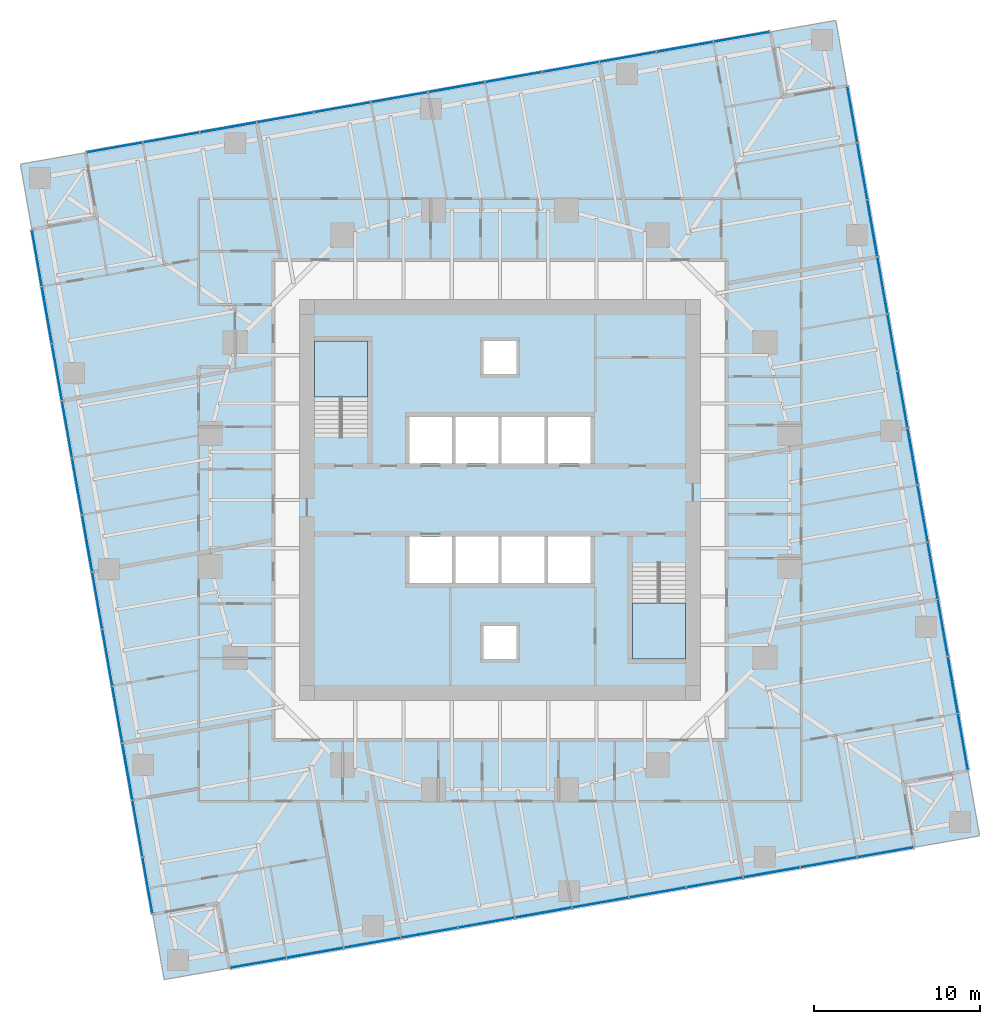
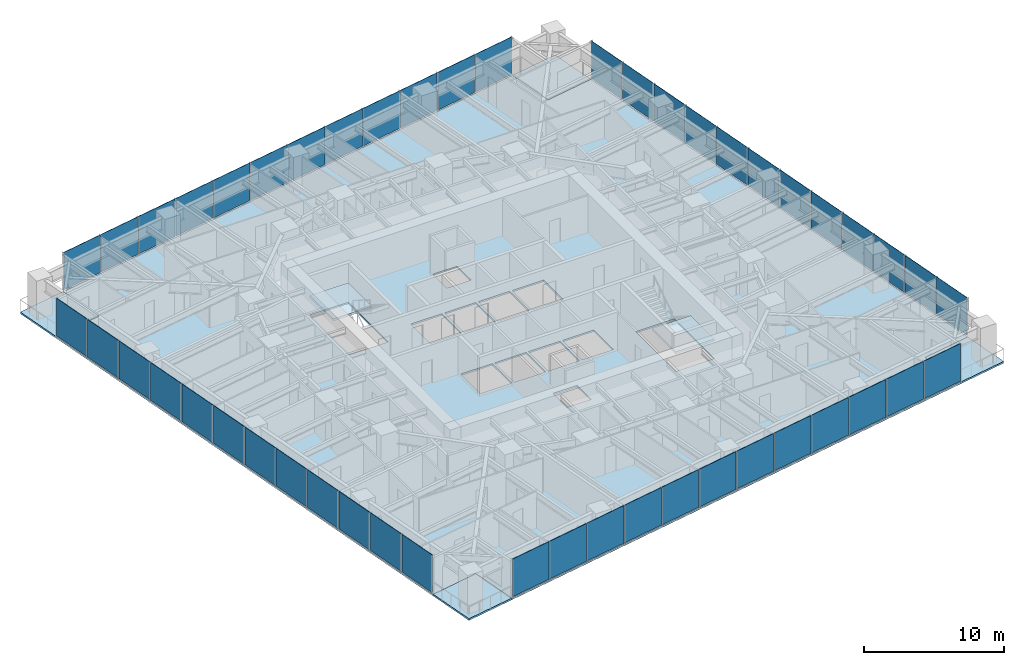
# One storey, part 7 of 14: 48 plates, 7 slabs, 6 elements without a shape of their own.
"""IFC4 building model written with IfcOpenShell, lengths in metres."""

from ifc_helpers import new_model, si_unit, direction, frame, origin, origin_2d, place, context, subcontext, project, spatial, polyline, rectangle, outline, extrude, material, layer, layer_set, type_object, element, aggregate, save


model = new_model("IFC4")

# Units and contexts
model_context = context("Model", 3, precision=1e-05, world=origin(), true_north=direction((0.0, 1.0)))
body_context = subcontext(model_context, "Body", "Model", "MODEL_VIEW")
ifc_project = project(units=[si_unit("LENGTHUNIT", "METRE"), si_unit("AREAUNIT", "SQUARE_METRE"), si_unit("VOLUMEUNIT", "CUBIC_METRE"), si_unit("PLANEANGLEUNIT", "RADIAN"), si_unit("MASSUNIT", "GRAM", prefix="KILO")], contexts=[model_context])

# Site, building, storey
site_placement = place(None, origin())
site = spatial("IfcSite", under=ifc_project, at=site_placement, CompositionType="ELEMENT")
building_placement = place(site_placement, origin())
building = spatial("IfcBuilding", under=site, at=building_placement, Name="Torsade Residences", CompositionType="ELEMENT")
storey_placement = place(building_placement, frame((0.0, 0.0, 99.800048828125)))
storey = spatial("IfcBuildingStorey", under=building, at=storey_placement, Name="L27", CompositionType="ELEMENT", Elevation=99.800048828125)

# Slab
ifc_material_1 = material(Name="Concrete 40 MPa", Category="concrete")
ifc_layer_1 = layer(ifc_material_1, 0.14990234375)
ifc_layer_set_1 = layer_set([ifc_layer_1], Name="Concrete 40 MPa")
slab_type_1 = type_object("IfcSlabType", Name="COMPOSITE FLOOR SLAB 150", PredefinedType="FLOOR", material=ifc_layer_set_1)
slab_1_placement = place(storey_placement, frame((0.0, 0.0, -0.150146484375)))
element("IfcSlab", 1, at=slab_1_placement, inside=storey, type_object=slab_type_1, Name="Floor slab L27", PredefinedType="FLOOR", context=body_context, shape_type="SweptSolid", body=[
    extrude(outline(polyline([(23.66015625, 1.733154296875), (65.022216796875, 9.0263671875), (64.32763671875, 12.965576171875), (68.266845703125, 13.66015625), (60.9736328125, 55.022216796875), (57.034423828125, 54.32763671875), (56.33984375, 58.266845703125), (14.977783203125, 50.9736328125), (15.67236328125, 47.034423828125), (11.733154296875, 46.33984375), (19.0263671875, 4.977783203125), (22.965576171875, 5.67236328125), (23.66015625, 1.733154296875)]), holes=[polyline([(51.199951171875, 20.39990234375), (51.199951171875, 26.1201171875), (48.0, 26.1201171875), (48.0, 20.39990234375), (51.199951171875, 20.39990234375)]), polyline([(45.5, 27.800048828125), (42.89990234375, 27.800048828125), (42.89990234375, 25.0), (45.5, 25.0), (45.5, 27.800048828125)]), polyline([(45.5, 32.199951171875), (45.5, 35.0), (42.89990234375, 35.0), (42.89990234375, 32.199951171875), (45.5, 32.199951171875)]), polyline([(42.699951171875, 25.0), (42.699951171875, 27.800048828125), (40.10009765625, 27.800048828125), (40.10009765625, 25.0), (42.699951171875, 25.0)]), polyline([(42.699951171875, 32.199951171875), (42.699951171875, 35.0), (40.10009765625, 35.0), (40.10009765625, 32.199951171875), (42.699951171875, 32.199951171875)]), polyline([(41.0, 22.39990234375), (39.0, 22.39990234375), (39.0, 20.39990234375), (41.0, 20.39990234375), (41.0, 22.39990234375)]), polyline([(41.0, 37.60009765625), (41.0, 39.60009765625), (39.0, 39.60009765625), (39.0, 37.60009765625), (41.0, 37.60009765625)]), polyline([(39.89990234375, 25.0), (39.89990234375, 27.800048828125), (37.300048828125, 27.800048828125), (37.300048828125, 25.0), (39.89990234375, 25.0)]), polyline([(39.89990234375, 35.0), (37.300048828125, 35.0), (37.300048828125, 32.199951171875), (39.89990234375, 32.199951171875), (39.89990234375, 35.0)]), polyline([(37.10009765625, 27.800048828125), (34.5, 27.800048828125), (34.5, 25.0), (37.10009765625, 25.0), (37.10009765625, 27.800048828125)]), polyline([(37.10009765625, 32.199951171875), (37.10009765625, 35.0), (34.5, 35.0), (34.5, 32.199951171875), (37.10009765625, 32.199951171875)]), polyline([(32.0, 33.8798828125), (32.0, 39.60009765625), (28.800048828125, 39.60009765625), (28.800048828125, 33.8798828125), (32.0, 33.8798828125)])]), origin(), (0.0, 0.0, 1.0), 0.150146484375),
])

# Curtain wall, plates
ifc_material_2 = material(Name="Aluminium and glass", Category="aluminium")
curtain_wall_type = type_object("IfcCurtainWallType", Name="FRITTED GLASS CURTAIN WALL LOW ZONE", PredefinedType="NOTDEFINED", material=ifc_material_2)
curtain_wall_1_placement = place(storey_placement, origin())
curtain_wall_1 = element("IfcCurtainWall", 2, at=curtain_wall_1_placement, inside=storey, type_object=curtain_wall_type, Name="Curtain wall L27 face 1", PredefinedType="NOTDEFINED")
ifc_material_3 = material(Name="Laminated glass", Category="glass")
ifc_layer_2 = layer(ifc_material_3, 0.031982421875)
ifc_layer_set_2 = layer_set([ifc_layer_2], Name="Laminated glass")
plate_type_1 = type_object("IfcPlateType", Name="FRITTED GLASS PANEL", PredefinedType="CURTAIN_PANEL", material=ifc_layer_set_2)
plate_1_placement = place(storey_placement, frame((25.399658203125, 2.039794921875, 0.10009765625), z_axis=(0.0, 0.0, 1.0), x_axis=(0.984807750372, 0.173648192638, 0.0)))
plate_1 = element("IfcPlate", 3, at=plate_1_placement, type_object=plate_type_1, Name="Panel 1", PredefinedType="CURTAIN_PANEL", context=body_context, shape_type="SweptSolid", body=[
    extrude(rectangle(XDim=3.402587890625, YDim=0.031982421875, at=origin_2d()), origin(), (0.0, 0.0, 1.0), 3.300048828125),
])
plate_2_placement = place(storey_placement, frame((32.27734375, 3.252685546875, 0.10009765625), z_axis=(0.0, 0.0, 1.0), x_axis=(0.984807750372, 0.173648192638, 0.0)))
plate_2 = element("IfcPlate", 4, at=plate_2_placement, type_object=plate_type_1, Name="Panel 3", PredefinedType="CURTAIN_PANEL", context=body_context, shape_type="SweptSolid", body=[
    extrude(rectangle(XDim=3.43505859375, YDim=0.031982421875, at=origin_2d()), origin(), (0.0, 0.0, 1.0), 3.300048828125),
])
plate_3_placement = place(storey_placement, frame((35.72412109375, 3.8603515625, 0.10009765625), z_axis=(0.0, 0.0, 1.0), x_axis=(0.984807750372, 0.173648192638, 0.0)))
plate_3 = element("IfcPlate", 5, at=plate_3_placement, type_object=plate_type_1, Name="Panel 4", PredefinedType="CURTAIN_PANEL", context=body_context, shape_type="SweptSolid", body=[
    extrude(rectangle(XDim=3.43505859375, YDim=0.031982421875, at=origin_2d()), origin(), (0.0, 0.0, 1.0), 3.300048828125),
])
plate_4_placement = place(storey_placement, frame((39.1708984375, 4.46826171875, 0.10009765625), z_axis=(0.0, 0.0, 1.0), x_axis=(0.984807750372, 0.173648192638, 0.0)))
plate_4 = element("IfcPlate", 6, at=plate_4_placement, type_object=plate_type_1, Name="Panel 5", PredefinedType="CURTAIN_PANEL", context=body_context, shape_type="SweptSolid", body=[
    extrude(rectangle(XDim=3.43505859375, YDim=0.031982421875, at=origin_2d()), origin(), (0.0, 0.0, 1.0), 3.300048828125),
])
plate_5_placement = place(storey_placement, frame((46.064697265625, 5.68359375, 0.10009765625), z_axis=(0.0, 0.0, 1.0), x_axis=(0.984807750372, 0.173648192638, 0.0)))
plate_5 = element("IfcPlate", 7, at=plate_5_placement, type_object=plate_type_1, Name="Panel 7", PredefinedType="CURTAIN_PANEL", context=body_context, shape_type="SweptSolid", body=[
    extrude(rectangle(XDim=3.43505859375, YDim=0.031982421875, at=origin_2d()), origin(), (0.0, 0.0, 1.0), 3.300048828125),
])
plate_6_placement = place(storey_placement, frame((49.511474609375, 6.29150390625, 0.10009765625), z_axis=(0.0, 0.0, 1.0), x_axis=(0.984807750372, 0.173648192638, 0.0)))
plate_6 = element("IfcPlate", 8, at=plate_6_placement, type_object=plate_type_1, Name="Panel 8", PredefinedType="CURTAIN_PANEL", context=body_context, shape_type="SweptSolid", body=[
    extrude(rectangle(XDim=3.43505859375, YDim=0.031982421875, at=origin_2d()), origin(), (0.0, 0.0, 1.0), 3.300048828125),
])
plate_7_placement = place(storey_placement, frame((52.958251953125, 6.899169921875, 0.10009765625), z_axis=(0.0, 0.0, 1.0), x_axis=(0.984807750372, 0.173648192638, 0.0)))
plate_7 = element("IfcPlate", 9, at=plate_7_placement, type_object=plate_type_1, Name="Panel 9", PredefinedType="CURTAIN_PANEL", context=body_context, shape_type="SweptSolid", body=[
    extrude(rectangle(XDim=3.43505859375, YDim=0.031982421875, at=origin_2d()), origin(), (0.0, 0.0, 1.0), 3.300048828125),
])
plate_8_placement = place(storey_placement, frame((59.851806640625, 8.11474609375, 0.10009765625), z_axis=(0.0, 0.0, 1.0), x_axis=(0.984807750372, 0.173648192638, 0.0)))
plate_8 = element("IfcPlate", 10, at=plate_8_placement, type_object=plate_type_1, Name="Panel 11", PredefinedType="CURTAIN_PANEL", context=body_context, shape_type="SweptSolid", body=[
    extrude(rectangle(XDim=3.43505859375, YDim=0.031982421875, at=origin_2d()), origin(), (0.0, 0.0, 1.0), 3.300048828125),
])
plate_9_placement = place(storey_placement, frame((63.28271484375, 8.7197265625, 0.10009765625), z_axis=(0.0, 0.0, 1.0), x_axis=(0.984807750372, 0.173648192638, 0.0)))
plate_9 = element("IfcPlate", 11, at=plate_9_placement, type_object=plate_type_1, Name="Panel 12", PredefinedType="CURTAIN_PANEL", context=body_context, shape_type="SweptSolid", body=[
    extrude(rectangle(XDim=3.402587890625, YDim=0.031982421875, at=origin_2d()), origin(), (0.0, 0.0, 1.0), 3.300048828125),
])

curtain_wall_2_placement = place(storey_placement, origin())
curtain_wall_2 = element("IfcCurtainWall", 12, at=curtain_wall_2_placement, inside=storey, type_object=curtain_wall_type, Name="Curtain wall L27 face 4", PredefinedType="NOTDEFINED")
plate_10_placement = place(storey_placement, frame((67.960205078125, 15.399658203125, 0.10009765625), z_axis=(0.0, 0.0, 1.0), x_axis=(-0.173648192638, 0.984807750372, 0.0)))
plate_10 = element("IfcPlate", 13, at=plate_10_placement, type_object=plate_type_1, Name="Panel 1", PredefinedType="CURTAIN_PANEL", context=body_context, shape_type="SweptSolid", body=[
    extrude(rectangle(XDim=3.402587890625, YDim=0.031982421875, at=origin_2d()), origin(), (0.0, 0.0, 1.0), 3.300048828125),
])
plate_11_placement = place(storey_placement, frame((66.747314453125, 22.27734375, 0.10009765625), z_axis=(0.0, 0.0, 1.0), x_axis=(-0.173648192638, 0.984807750372, 0.0)))
plate_11 = element("IfcPlate", 14, at=plate_11_placement, type_object=plate_type_1, Name="Panel 3", PredefinedType="CURTAIN_PANEL", context=body_context, shape_type="SweptSolid", body=[
    extrude(rectangle(XDim=3.43505859375, YDim=0.031982421875, at=origin_2d()), origin(), (0.0, 0.0, 1.0), 3.300048828125),
])
plate_12_placement = place(storey_placement, frame((66.1396484375, 25.72412109375, 0.10009765625), z_axis=(0.0, 0.0, 1.0), x_axis=(-0.173648192638, 0.984807750372, 0.0)))
plate_12 = element("IfcPlate", 15, at=plate_12_placement, type_object=plate_type_1, Name="Panel 4", PredefinedType="CURTAIN_PANEL", context=body_context, shape_type="SweptSolid", body=[
    extrude(rectangle(XDim=3.43505859375, YDim=0.031982421875, at=origin_2d()), origin(), (0.0, 0.0, 1.0), 3.300048828125),
])
plate_13_placement = place(storey_placement, frame((65.53173828125, 29.1708984375, 0.10009765625), z_axis=(0.0, 0.0, 1.0), x_axis=(-0.173648192638, 0.984807750372, 0.0)))
plate_13 = element("IfcPlate", 16, at=plate_13_placement, type_object=plate_type_1, Name="Panel 5", PredefinedType="CURTAIN_PANEL", context=body_context, shape_type="SweptSolid", body=[
    extrude(rectangle(XDim=3.43505859375, YDim=0.031982421875, at=origin_2d()), origin(), (0.0, 0.0, 1.0), 3.300048828125),
])
plate_14_placement = place(storey_placement, frame((64.31640625, 36.064697265625, 0.10009765625), z_axis=(0.0, 0.0, 1.0), x_axis=(-0.173648192638, 0.984807750372, 0.0)))
plate_14 = element("IfcPlate", 17, at=plate_14_placement, type_object=plate_type_1, Name="Panel 7", PredefinedType="CURTAIN_PANEL", context=body_context, shape_type="SweptSolid", body=[
    extrude(rectangle(XDim=3.43505859375, YDim=0.031982421875, at=origin_2d()), origin(), (0.0, 0.0, 1.0), 3.300048828125),
])
plate_15_placement = place(storey_placement, frame((63.70849609375, 39.511474609375, 0.10009765625), z_axis=(0.0, 0.0, 1.0), x_axis=(-0.173648192638, 0.984807750372, 0.0)))
plate_15 = element("IfcPlate", 18, at=plate_15_placement, type_object=plate_type_1, Name="Panel 8", PredefinedType="CURTAIN_PANEL", context=body_context, shape_type="SweptSolid", body=[
    extrude(rectangle(XDim=3.43505859375, YDim=0.031982421875, at=origin_2d()), origin(), (0.0, 0.0, 1.0), 3.300048828125),
])
plate_16_placement = place(storey_placement, frame((63.100830078125, 42.958251953125, 0.10009765625), z_axis=(0.0, 0.0, 1.0), x_axis=(-0.173648192638, 0.984807750372, 0.0)))
plate_16 = element("IfcPlate", 19, at=plate_16_placement, type_object=plate_type_1, Name="Panel 9", PredefinedType="CURTAIN_PANEL", context=body_context, shape_type="SweptSolid", body=[
    extrude(rectangle(XDim=3.43505859375, YDim=0.031982421875, at=origin_2d()), origin(), (0.0, 0.0, 1.0), 3.300048828125),
])
plate_17_placement = place(storey_placement, frame((61.88525390625, 49.851806640625, 0.10009765625), z_axis=(0.0, 0.0, 1.0), x_axis=(-0.173648192638, 0.984807750372, 0.0)))
plate_17 = element("IfcPlate", 20, at=plate_17_placement, type_object=plate_type_1, Name="Panel 11", PredefinedType="CURTAIN_PANEL", context=body_context, shape_type="SweptSolid", body=[
    extrude(rectangle(XDim=3.43505859375, YDim=0.031982421875, at=origin_2d()), origin(), (0.0, 0.0, 1.0), 3.300048828125),
])
plate_18_placement = place(storey_placement, frame((61.2802734375, 53.28271484375, 0.10009765625), z_axis=(0.0, 0.0, 1.0), x_axis=(-0.173648192638, 0.984807750372, 0.0)))
plate_18 = element("IfcPlate", 21, at=plate_18_placement, type_object=plate_type_1, Name="Panel 12", PredefinedType="CURTAIN_PANEL", context=body_context, shape_type="SweptSolid", body=[
    extrude(rectangle(XDim=3.402587890625, YDim=0.031982421875, at=origin_2d()), origin(), (0.0, 0.0, 1.0), 3.300048828125),
])

curtain_wall_3_placement = place(storey_placement, origin())
curtain_wall_3 = element("IfcCurtainWall", 22, at=curtain_wall_3_placement, inside=storey, type_object=curtain_wall_type, Name="Curtain wall L27 face 7", PredefinedType="NOTDEFINED")
plate_19_placement = place(storey_placement, frame((54.600341796875, 57.960205078125, 0.10009765625), z_axis=(0.0, 0.0, 1.0), x_axis=(-0.984807750372, -0.173648192638, 0.0)))
plate_19 = element("IfcPlate", 23, at=plate_19_placement, type_object=plate_type_1, Name="Panel 1", PredefinedType="CURTAIN_PANEL", context=body_context, shape_type="SweptSolid", body=[
    extrude(rectangle(XDim=3.402587890625, YDim=0.031982421875, at=origin_2d()), origin(), (0.0, 0.0, 1.0), 3.300048828125),
])
plate_20_placement = place(storey_placement, frame((47.72265625, 56.747314453125, 0.10009765625), z_axis=(0.0, 0.0, 1.0), x_axis=(-0.984807750372, -0.173648192638, 0.0)))
plate_20 = element("IfcPlate", 24, at=plate_20_placement, type_object=plate_type_1, Name="Panel 3", PredefinedType="CURTAIN_PANEL", context=body_context, shape_type="SweptSolid", body=[
    extrude(rectangle(XDim=3.43505859375, YDim=0.031982421875, at=origin_2d()), origin(), (0.0, 0.0, 1.0), 3.300048828125),
])
plate_21_placement = place(storey_placement, frame((44.27587890625, 56.1396484375, 0.10009765625), z_axis=(0.0, 0.0, 1.0), x_axis=(-0.984807750372, -0.173648192638, 0.0)))
plate_21 = element("IfcPlate", 25, at=plate_21_placement, type_object=plate_type_1, Name="Panel 4", PredefinedType="CURTAIN_PANEL", context=body_context, shape_type="SweptSolid", body=[
    extrude(rectangle(XDim=3.43505859375, YDim=0.031982421875, at=origin_2d()), origin(), (0.0, 0.0, 1.0), 3.300048828125),
])
plate_22_placement = place(storey_placement, frame((40.8291015625, 55.53173828125, 0.10009765625), z_axis=(0.0, 0.0, 1.0), x_axis=(-0.984807750372, -0.173648192638, 0.0)))
plate_22 = element("IfcPlate", 26, at=plate_22_placement, type_object=plate_type_1, Name="Panel 5", PredefinedType="CURTAIN_PANEL", context=body_context, shape_type="SweptSolid", body=[
    extrude(rectangle(XDim=3.43505859375, YDim=0.031982421875, at=origin_2d()), origin(), (0.0, 0.0, 1.0), 3.300048828125),
])
plate_23_placement = place(storey_placement, frame((33.935302734375, 54.31640625, 0.10009765625), z_axis=(0.0, 0.0, 1.0), x_axis=(-0.984807750372, -0.173648192638, 0.0)))
plate_23 = element("IfcPlate", 27, at=plate_23_placement, type_object=plate_type_1, Name="Panel 7", PredefinedType="CURTAIN_PANEL", context=body_context, shape_type="SweptSolid", body=[
    extrude(rectangle(XDim=3.43505859375, YDim=0.031982421875, at=origin_2d()), origin(), (0.0, 0.0, 1.0), 3.300048828125),
])
plate_24_placement = place(storey_placement, frame((30.488525390625, 53.70849609375, 0.10009765625), z_axis=(0.0, 0.0, 1.0), x_axis=(-0.984807750372, -0.173648192638, 0.0)))
plate_24 = element("IfcPlate", 28, at=plate_24_placement, type_object=plate_type_1, Name="Panel 8", PredefinedType="CURTAIN_PANEL", context=body_context, shape_type="SweptSolid", body=[
    extrude(rectangle(XDim=3.43505859375, YDim=0.031982421875, at=origin_2d()), origin(), (0.0, 0.0, 1.0), 3.300048828125),
])
plate_25_placement = place(storey_placement, frame((27.041748046875, 53.100830078125, 0.10009765625), z_axis=(0.0, 0.0, 1.0), x_axis=(-0.984807750372, -0.173648192638, 0.0)))
plate_25 = element("IfcPlate", 29, at=plate_25_placement, type_object=plate_type_1, Name="Panel 9", PredefinedType="CURTAIN_PANEL", context=body_context, shape_type="SweptSolid", body=[
    extrude(rectangle(XDim=3.43505859375, YDim=0.031982421875, at=origin_2d()), origin(), (0.0, 0.0, 1.0), 3.300048828125),
])
plate_26_placement = place(storey_placement, frame((20.148193359375, 51.88525390625, 0.10009765625), z_axis=(0.0, 0.0, 1.0), x_axis=(-0.984807750372, -0.173648192638, 0.0)))
plate_26 = element("IfcPlate", 30, at=plate_26_placement, type_object=plate_type_1, Name="Panel 11", PredefinedType="CURTAIN_PANEL", context=body_context, shape_type="SweptSolid", body=[
    extrude(rectangle(XDim=3.43505859375, YDim=0.031982421875, at=origin_2d()), origin(), (0.0, 0.0, 1.0), 3.300048828125),
])
plate_27_placement = place(storey_placement, frame((16.71728515625, 51.2802734375, 0.10009765625), z_axis=(0.0, 0.0, 1.0), x_axis=(-0.984807750372, -0.173648192638, 0.0)))
plate_27 = element("IfcPlate", 31, at=plate_27_placement, type_object=plate_type_1, Name="Panel 12", PredefinedType="CURTAIN_PANEL", context=body_context, shape_type="SweptSolid", body=[
    extrude(rectangle(XDim=3.402587890625, YDim=0.031982421875, at=origin_2d()), origin(), (0.0, 0.0, 1.0), 3.300048828125),
])

curtain_wall_4_placement = place(storey_placement, origin())
curtain_wall_4 = element("IfcCurtainWall", 32, at=curtain_wall_4_placement, inside=storey, type_object=curtain_wall_type, Name="Curtain wall L27 face 10", PredefinedType="NOTDEFINED")
plate_28_placement = place(storey_placement, frame((12.039794921875, 44.600341796875, 0.10009765625), z_axis=(0.0, 0.0, 1.0), x_axis=(0.173648192638, -0.984807750372, 0.0)))
plate_28 = element("IfcPlate", 33, at=plate_28_placement, type_object=plate_type_1, Name="Panel 1", PredefinedType="CURTAIN_PANEL", context=body_context, shape_type="SweptSolid", body=[
    extrude(rectangle(XDim=3.402587890625, YDim=0.031982421875, at=origin_2d()), origin(), (0.0, 0.0, 1.0), 3.300048828125),
])
plate_29_placement = place(storey_placement, frame((13.252685546875, 37.72265625, 0.10009765625), z_axis=(0.0, 0.0, 1.0), x_axis=(0.173648192638, -0.984807750372, 0.0)))
plate_29 = element("IfcPlate", 34, at=plate_29_placement, type_object=plate_type_1, Name="Panel 3", PredefinedType="CURTAIN_PANEL", context=body_context, shape_type="SweptSolid", body=[
    extrude(rectangle(XDim=3.43505859375, YDim=0.031982421875, at=origin_2d()), origin(), (0.0, 0.0, 1.0), 3.300048828125),
])
plate_30_placement = place(storey_placement, frame((13.8603515625, 34.27587890625, 0.10009765625), z_axis=(0.0, 0.0, 1.0), x_axis=(0.173648192638, -0.984807750372, 0.0)))
plate_30 = element("IfcPlate", 35, at=plate_30_placement, type_object=plate_type_1, Name="Panel 4", PredefinedType="CURTAIN_PANEL", context=body_context, shape_type="SweptSolid", body=[
    extrude(rectangle(XDim=3.43505859375, YDim=0.031982421875, at=origin_2d()), origin(), (0.0, 0.0, 1.0), 3.300048828125),
])
plate_31_placement = place(storey_placement, frame((14.46826171875, 30.8291015625, 0.10009765625), z_axis=(0.0, 0.0, 1.0), x_axis=(0.173648192638, -0.984807750372, 0.0)))
plate_31 = element("IfcPlate", 36, at=plate_31_placement, type_object=plate_type_1, Name="Panel 5", PredefinedType="CURTAIN_PANEL", context=body_context, shape_type="SweptSolid", body=[
    extrude(rectangle(XDim=3.43505859375, YDim=0.031982421875, at=origin_2d()), origin(), (0.0, 0.0, 1.0), 3.300048828125),
])
plate_32_placement = place(storey_placement, frame((15.68359375, 23.935302734375, 0.10009765625), z_axis=(0.0, 0.0, 1.0), x_axis=(0.173648192638, -0.984807750372, 0.0)))
plate_32 = element("IfcPlate", 37, at=plate_32_placement, type_object=plate_type_1, Name="Panel 7", PredefinedType="CURTAIN_PANEL", context=body_context, shape_type="SweptSolid", body=[
    extrude(rectangle(XDim=3.43505859375, YDim=0.031982421875, at=origin_2d()), origin(), (0.0, 0.0, 1.0), 3.300048828125),
])
plate_33_placement = place(storey_placement, frame((16.29150390625, 20.488525390625, 0.10009765625), z_axis=(0.0, 0.0, 1.0), x_axis=(0.173648192638, -0.984807750372, 0.0)))
plate_33 = element("IfcPlate", 38, at=plate_33_placement, type_object=plate_type_1, Name="Panel 8", PredefinedType="CURTAIN_PANEL", context=body_context, shape_type="SweptSolid", body=[
    extrude(rectangle(XDim=3.43505859375, YDim=0.031982421875, at=origin_2d()), origin(), (0.0, 0.0, 1.0), 3.300048828125),
])
plate_34_placement = place(storey_placement, frame((16.899169921875, 17.041748046875, 0.10009765625), z_axis=(0.0, 0.0, 1.0), x_axis=(0.173648192638, -0.984807750372, 0.0)))
plate_34 = element("IfcPlate", 39, at=plate_34_placement, type_object=plate_type_1, Name="Panel 9", PredefinedType="CURTAIN_PANEL", context=body_context, shape_type="SweptSolid", body=[
    extrude(rectangle(XDim=3.43505859375, YDim=0.031982421875, at=origin_2d()), origin(), (0.0, 0.0, 1.0), 3.300048828125),
])
plate_35_placement = place(storey_placement, frame((18.11474609375, 10.148193359375, 0.10009765625), z_axis=(0.0, 0.0, 1.0), x_axis=(0.173648192638, -0.984807750372, 0.0)))
plate_35 = element("IfcPlate", 40, at=plate_35_placement, type_object=plate_type_1, Name="Panel 11", PredefinedType="CURTAIN_PANEL", context=body_context, shape_type="SweptSolid", body=[
    extrude(rectangle(XDim=3.43505859375, YDim=0.031982421875, at=origin_2d()), origin(), (0.0, 0.0, 1.0), 3.300048828125),
])
plate_36_placement = place(storey_placement, frame((18.7197265625, 6.71728515625, 0.10009765625), z_axis=(0.0, 0.0, 1.0), x_axis=(0.173648192638, -0.984807750372, 0.0)))
plate_36 = element("IfcPlate", 41, at=plate_36_placement, type_object=plate_type_1, Name="Panel 12", PredefinedType="CURTAIN_PANEL", context=body_context, shape_type="SweptSolid", body=[
    extrude(rectangle(XDim=3.402587890625, YDim=0.031982421875, at=origin_2d()), origin(), (0.0, 0.0, 1.0), 3.300048828125),
])

# Plate
ifc_material_4 = material(Name="Laminated glass", Category="glass")
ifc_layer_3 = layer(ifc_material_4, 0.0400390625)
ifc_layer_set_3 = layer_set([ifc_layer_3], Name="Laminated glass")
plate_type_2 = type_object("IfcPlateType", Name="OPERABLE VENT PANEL", PredefinedType="CURTAIN_PANEL", material=ifc_layer_set_3)
plate_37_placement = place(storey_placement, frame((28.83056640625, 2.644775390625, 0.10009765625), z_axis=(0.0, 0.0, 1.0), x_axis=(0.984807750372, 0.173648192638, 0.0)))
plate_37 = element("IfcPlate", 42, at=plate_37_placement, type_object=plate_type_2, Name="Panel 2", PredefinedType="CURTAIN_PANEL", context=body_context, shape_type="SweptSolid", body=[
    extrude(rectangle(XDim=3.43505859375, YDim=0.0400390625, at=origin_2d()), origin(), (0.0, 0.0, 1.0), 3.300048828125),
])

plate_38_placement = place(storey_placement, frame((42.61767578125, 5.075927734375, 0.10009765625), z_axis=(0.0, 0.0, 1.0), x_axis=(0.984807750372, 0.173648192638, 0.0)))
plate_38 = element("IfcPlate", 43, at=plate_38_placement, type_object=plate_type_2, Name="Panel 6", PredefinedType="CURTAIN_PANEL", context=body_context, shape_type="SweptSolid", body=[
    extrude(rectangle(XDim=3.43505859375, YDim=0.0400390625, at=origin_2d()), origin(), (0.0, 0.0, 1.0), 3.300048828125),
])

plate_39_placement = place(storey_placement, frame((56.405029296875, 7.507080078125, 0.10009765625), z_axis=(0.0, 0.0, 1.0), x_axis=(0.984807750372, 0.173648192638, 0.0)))
plate_39 = element("IfcPlate", 44, at=plate_39_placement, type_object=plate_type_2, Name="Panel 10", PredefinedType="CURTAIN_PANEL", context=body_context, shape_type="SweptSolid", body=[
    extrude(rectangle(XDim=3.43505859375, YDim=0.0400390625, at=origin_2d()), origin(), (0.0, 0.0, 1.0), 3.300048828125),
])

aggregate(curtain_wall_1, [plate_1, plate_37, plate_2, plate_3, plate_4, plate_38, plate_5, plate_6, plate_7, plate_39, plate_8, plate_9])

plate_40_placement = place(storey_placement, frame((67.355224609375, 18.83056640625, 0.10009765625), z_axis=(0.0, 0.0, 1.0), x_axis=(-0.173648192638, 0.984807750372, 0.0)))
plate_40 = element("IfcPlate", 45, at=plate_40_placement, type_object=plate_type_2, Name="Panel 2", PredefinedType="CURTAIN_PANEL", context=body_context, shape_type="SweptSolid", body=[
    extrude(rectangle(XDim=3.43505859375, YDim=0.0400390625, at=origin_2d()), origin(), (0.0, 0.0, 1.0), 3.300048828125),
])

plate_41_placement = place(storey_placement, frame((64.924072265625, 32.61767578125, 0.10009765625), z_axis=(0.0, 0.0, 1.0), x_axis=(-0.173648192638, 0.984807750372, 0.0)))
plate_41 = element("IfcPlate", 46, at=plate_41_placement, type_object=plate_type_2, Name="Panel 6", PredefinedType="CURTAIN_PANEL", context=body_context, shape_type="SweptSolid", body=[
    extrude(rectangle(XDim=3.43505859375, YDim=0.0400390625, at=origin_2d()), origin(), (0.0, 0.0, 1.0), 3.300048828125),
])

plate_42_placement = place(storey_placement, frame((62.492919921875, 46.405029296875, 0.10009765625), z_axis=(0.0, 0.0, 1.0), x_axis=(-0.173648192638, 0.984807750372, 0.0)))
plate_42 = element("IfcPlate", 47, at=plate_42_placement, type_object=plate_type_2, Name="Panel 10", PredefinedType="CURTAIN_PANEL", context=body_context, shape_type="SweptSolid", body=[
    extrude(rectangle(XDim=3.43505859375, YDim=0.0400390625, at=origin_2d()), origin(), (0.0, 0.0, 1.0), 3.300048828125),
])

aggregate(curtain_wall_2, [plate_10, plate_40, plate_11, plate_12, plate_13, plate_41, plate_14, plate_15, plate_16, plate_42, plate_17, plate_18])

plate_43_placement = place(storey_placement, frame((51.16943359375, 57.355224609375, 0.10009765625), z_axis=(0.0, 0.0, 1.0), x_axis=(-0.984807750372, -0.173648192638, 0.0)))
plate_43 = element("IfcPlate", 48, at=plate_43_placement, type_object=plate_type_2, Name="Panel 2", PredefinedType="CURTAIN_PANEL", context=body_context, shape_type="SweptSolid", body=[
    extrude(rectangle(XDim=3.43505859375, YDim=0.0400390625, at=origin_2d()), origin(), (0.0, 0.0, 1.0), 3.300048828125),
])

plate_44_placement = place(storey_placement, frame((37.38232421875, 54.924072265625, 0.10009765625), z_axis=(0.0, 0.0, 1.0), x_axis=(-0.984807750372, -0.173648192638, 0.0)))
plate_44 = element("IfcPlate", 49, at=plate_44_placement, type_object=plate_type_2, Name="Panel 6", PredefinedType="CURTAIN_PANEL", context=body_context, shape_type="SweptSolid", body=[
    extrude(rectangle(XDim=3.43505859375, YDim=0.0400390625, at=origin_2d()), origin(), (0.0, 0.0, 1.0), 3.300048828125),
])

plate_45_placement = place(storey_placement, frame((23.594970703125, 52.492919921875, 0.10009765625), z_axis=(0.0, 0.0, 1.0), x_axis=(-0.984807750372, -0.173648192638, 0.0)))
plate_45 = element("IfcPlate", 50, at=plate_45_placement, type_object=plate_type_2, Name="Panel 10", PredefinedType="CURTAIN_PANEL", context=body_context, shape_type="SweptSolid", body=[
    extrude(rectangle(XDim=3.43505859375, YDim=0.0400390625, at=origin_2d()), origin(), (0.0, 0.0, 1.0), 3.300048828125),
])

aggregate(curtain_wall_3, [plate_19, plate_43, plate_20, plate_21, plate_22, plate_44, plate_23, plate_24, plate_25, plate_45, plate_26, plate_27])

plate_46_placement = place(storey_placement, frame((12.644775390625, 41.16943359375, 0.10009765625), z_axis=(0.0, 0.0, 1.0), x_axis=(0.173648192638, -0.984807750372, 0.0)))
plate_46 = element("IfcPlate", 51, at=plate_46_placement, type_object=plate_type_2, Name="Panel 2", PredefinedType="CURTAIN_PANEL", context=body_context, shape_type="SweptSolid", body=[
    extrude(rectangle(XDim=3.43505859375, YDim=0.0400390625, at=origin_2d()), origin(), (0.0, 0.0, 1.0), 3.300048828125),
])

plate_47_placement = place(storey_placement, frame((15.075927734375, 27.38232421875, 0.10009765625), z_axis=(0.0, 0.0, 1.0), x_axis=(0.173648192638, -0.984807750372, 0.0)))
plate_47 = element("IfcPlate", 52, at=plate_47_placement, type_object=plate_type_2, Name="Panel 6", PredefinedType="CURTAIN_PANEL", context=body_context, shape_type="SweptSolid", body=[
    extrude(rectangle(XDim=3.43505859375, YDim=0.0400390625, at=origin_2d()), origin(), (0.0, 0.0, 1.0), 3.300048828125),
])

plate_48_placement = place(storey_placement, frame((17.507080078125, 13.594970703125, 0.10009765625), z_axis=(0.0, 0.0, 1.0), x_axis=(0.173648192638, -0.984807750372, 0.0)))
plate_48 = element("IfcPlate", 53, at=plate_48_placement, type_object=plate_type_2, Name="Panel 10", PredefinedType="CURTAIN_PANEL", context=body_context, shape_type="SweptSolid", body=[
    extrude(rectangle(XDim=3.43505859375, YDim=0.0400390625, at=origin_2d()), origin(), (0.0, 0.0, 1.0), 3.300048828125),
])

aggregate(curtain_wall_4, [plate_28, plate_46, plate_29, plate_30, plate_31, plate_47, plate_32, plate_33, plate_34, plate_48, plate_35, plate_36])

# Stair, slab
ifc_material_5 = material(Name="Precast concrete 40 MPa", Category="concrete")
stair_type = type_object("IfcStairType", Name="HALF-TURN FIRE STAIR 1500x3400", PredefinedType="HALF_TURN_STAIR", material=ifc_material_5)
stair_1_placement = place(storey_placement, origin())
stair_1 = element("IfcStair", 54, at=stair_1_placement, inside=storey, type_object=stair_type, Name="Stair ST1 L27", PredefinedType="HALF_TURN_STAIR")
ifc_material_6 = material(Name="Precast concrete 40 MPa", Category="concrete")
ifc_layer_4 = layer(ifc_material_6, 0.179931640625)
ifc_layer_set_4 = layer_set([ifc_layer_4], Name="Precast concrete 40 MPa")
slab_type_2 = type_object("IfcSlabType", Name="PRECAST STAIR LANDING 180", PredefinedType="LANDING", material=ifc_layer_set_4)
slab_2_placement = place(storey_placement, frame((0.0, 0.0, 1.52001953125)))
slab_2 = element("IfcSlab", 55, at=slab_2_placement, type_object=slab_type_2, Name="ST1 landing 1", PredefinedType="LANDING", context=body_context, shape_type="SweptSolid", body=[
    extrude(outline(polyline([(28.800048828125, 36.2099609375), (32.0, 36.2099609375), (32.0, 39.60009765625), (28.800048828125, 39.60009765625), (28.800048828125, 36.2099609375)])), origin(), (0.0, 0.0, 1.0), 0.179931640625),
])
aggregate(stair_1, [slab_2])

stair_2_placement = place(storey_placement, origin())
stair_2 = element("IfcStair", 56, at=stair_2_placement, inside=storey, type_object=stair_type, Name="Stair ST2 L27", PredefinedType="HALF_TURN_STAIR")
slab_3_placement = place(storey_placement, frame((0.0, 0.0, 1.52001953125)))
slab_3 = element("IfcSlab", 57, at=slab_3_placement, type_object=slab_type_2, Name="ST2 landing 1", PredefinedType="LANDING", context=body_context, shape_type="SweptSolid", body=[
    extrude(outline(polyline([(48.0, 20.39990234375), (51.199951171875, 20.39990234375), (51.199951171875, 23.7900390625), (48.0, 23.7900390625), (48.0, 20.39990234375)])), origin(), (0.0, 0.0, 1.0), 0.179931640625),
])
aggregate(stair_2, [slab_3])

# Slabs
ifc_material_7 = material(Name="Concrete 40 MPa", Category="concrete")
ifc_layer_5 = layer(ifc_material_7, 0.14990234375)
ifc_layer_set_5 = layer_set([ifc_layer_5], Name="Concrete 40 MPa")
slab_type_3 = type_object("IfcSlabType", Name="TERRACE SLAB 150", PredefinedType="FLOOR", material=ifc_layer_set_5)
slab_4_placement = place(storey_placement, frame((0.0, 0.0, -0.150146484375)))
element("IfcSlab", 58, at=slab_4_placement, inside=storey, type_object=slab_type_3, Name="Corner terrace slab SE L27", PredefinedType="FLOOR", context=body_context, shape_type="SweptSolid", body=[
    extrude(outline(polyline([(65.022216796875, 9.0263671875), (68.96142578125, 9.720947265625), (68.266845703125, 13.66015625), (64.32763671875, 12.965576171875), (65.022216796875, 9.0263671875)])), origin(), (0.0, 0.0, 1.0), 0.150146484375),
])
slab_5_placement = place(storey_placement, frame((0.0, 0.0, -0.150146484375)))
element("IfcSlab", 59, at=slab_5_placement, inside=storey, type_object=slab_type_3, Name="Corner terrace slab NE L27", PredefinedType="FLOOR", context=body_context, shape_type="SweptSolid", body=[
    extrude(outline(polyline([(57.034423828125, 54.32763671875), (60.9736328125, 55.022216796875), (60.279052734375, 58.96142578125), (56.33984375, 58.266845703125), (57.034423828125, 54.32763671875)])), origin(), (0.0, 0.0, 1.0), 0.150146484375),
])
slab_6_placement = place(storey_placement, frame((0.0, 0.0, -0.150146484375)))
element("IfcSlab", 60, at=slab_6_placement, inside=storey, type_object=slab_type_3, Name="Corner terrace slab NW L27", PredefinedType="FLOOR", context=body_context, shape_type="SweptSolid", body=[
    extrude(outline(polyline([(11.733154296875, 46.33984375), (15.67236328125, 47.034423828125), (14.977783203125, 50.9736328125), (11.03857421875, 50.279052734375), (11.733154296875, 46.33984375)])), origin(), (0.0, 0.0, 1.0), 0.150146484375),
])
slab_7_placement = place(storey_placement, frame((0.0, 0.0, -0.150146484375)))
element("IfcSlab", 61, at=slab_7_placement, inside=storey, type_object=slab_type_3, Name="Corner terrace slab SW L27", PredefinedType="FLOOR", context=body_context, shape_type="SweptSolid", body=[
    extrude(outline(polyline([(19.720947265625, 1.03857421875), (23.66015625, 1.733154296875), (22.965576171875, 5.67236328125), (19.0263671875, 4.977783203125), (19.720947265625, 1.03857421875)])), origin(), (0.0, 0.0, 1.0), 0.150146484375),
])

save(model, "model.ifc")
